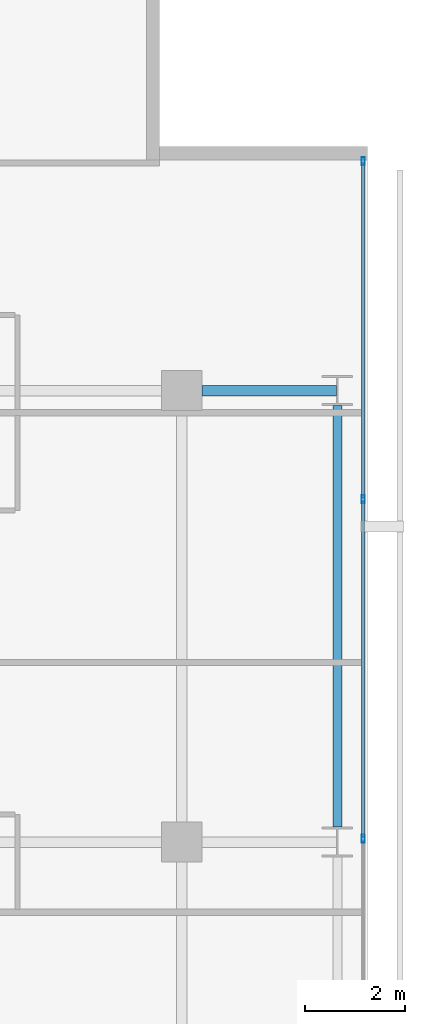
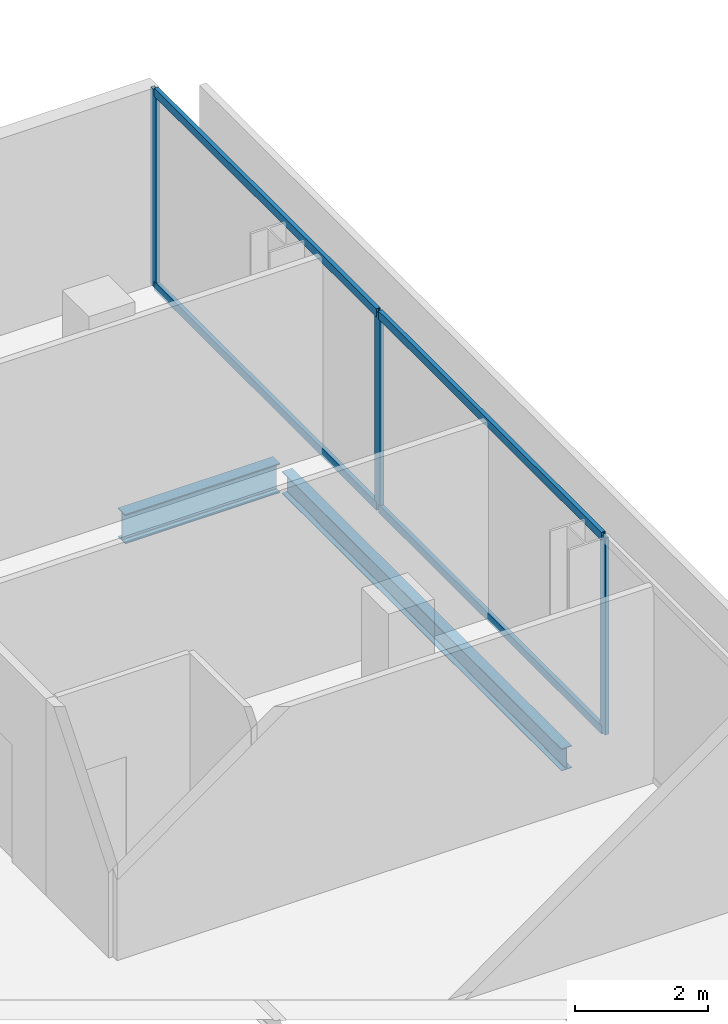
# One storey, part 24 of 34: 7 members, 2 beams, 1 element without a shape of its own.
"""IFC4 building model written with IfcOpenShell, lengths in metres."""

from ifc_helpers import new_model, si_unit, direction, frame, origin, origin_2d, place, context, subcontext, project, spatial, hollow_rectangle, i_section, extrude, material, layer, layer_set, material_profile, profile_set, type_object, element, aggregate, save


model = new_model("IFC4")

# Units and contexts
model_context = context("Model", 3, precision=1e-05, world=origin(), true_north=direction((0.0, 1.0)))
body_context = subcontext(model_context, "Body", "Model", "MODEL_VIEW")
ifc_project = project(units=[si_unit("LENGTHUNIT", "METRE"), si_unit("AREAUNIT", "SQUARE_METRE"), si_unit("VOLUMEUNIT", "CUBIC_METRE"), si_unit("PLANEANGLEUNIT", "RADIAN"), si_unit("MASSUNIT", "GRAM", prefix="KILO")], contexts=[model_context])

# Site, building, storey
site_placement = place(None, origin())
site = spatial("IfcSite", under=ifc_project, at=site_placement, CompositionType="ELEMENT")
building_placement = place(site_placement, origin())
building = spatial("IfcBuilding", under=site, at=building_placement, Name="Maruvema Waterfront Hotel and Observation Tower", CompositionType="ELEMENT")
storey_placement = place(building_placement, frame((0.0, 0.0, 208.25)))
storey = spatial("IfcBuildingStorey", under=building, at=storey_placement, Name="L51", CompositionType="ELEMENT", Elevation=208.25)

# Curtain wall, members
ifc_material_1 = material(Name="Anodised bronze aluminium and solar-control low-E IGU", Category="aluminium")
ifc_layer = layer(ifc_material_1, 0.159912109375, Name="Zone 2 Amber Inner Thermal Curtain Wall System CW-03")
ifc_layer_set = layer_set([ifc_layer], Name="Anodised bronze aluminium and solar-control low-E IGU")
curtain_wall_type = type_object("IfcCurtainWallType", Name="Zone 2 Amber Inner Thermal Curtain Wall System CW-03", PredefinedType="USERDEFINED", material=ifc_layer_set)
curtain_wall_placement = place(storey_placement, origin())
curtain_wall = element("IfcCurtainWall", 1, at=curtain_wall_placement, inside=storey, type_object=curtain_wall_type, Name="L51 Curtain Wall CW-L51-E", ObjectType="UNITISED CURTAIN WALL", PredefinedType="USERDEFINED")
ifc_material_2 = material(Name="Anodised architectural bronze aluminium", Category="aluminium")
ifc_material_profile_1 = material_profile(ifc_material_2, hollow_rectangle(XDim=0.070068359375, YDim=0.14990234375, WallThickness=0.00390625, at=origin_2d()), Name="ALU-T70x150")
ifc_profile_set_1 = profile_set([ifc_material_profile_1], Name="Anodised architectural bronze aluminium")
member_type_1 = type_object("IfcMemberType", Name="Curtain Wall Horizontal Transom ALU-T70x150", PredefinedType="USERDEFINED", material=ifc_profile_set_1)
member_1_placement = place(storey_placement, frame((62.419921875, 36.0966796875, 0.030029296875), z_axis=(0.0, 1.0, 0.0), x_axis=(-1.0, 0.0, 0.0)))
member_1 = element("IfcMember", 2, at=member_1_placement, type_object=member_type_1, Name="CW-03 transom 5.1", ObjectType="TRANSOM", PredefinedType="USERDEFINED", context=body_context, shape_type="SweptSolid", body=[
    extrude(hollow_rectangle(XDim=0.070068359375, YDim=0.14990234375, WallThickness=0.00390625, at=origin_2d()), origin(), (0.0, 0.0, 1.0), 6.70654296875),
])
member_2_placement = place(storey_placement, frame((62.419921875, 36.0966796875, 3.580078125), z_axis=(0.0, 1.0, 0.0), x_axis=(-1.0, 0.0, 0.0)))
member_2 = element("IfcMember", 3, at=member_2_placement, type_object=member_type_1, Name="CW-03 transom 5.2", ObjectType="TRANSOM", PredefinedType="USERDEFINED", context=body_context, shape_type="SweptSolid", body=[
    extrude(hollow_rectangle(XDim=0.070068359375, YDim=0.14990234375, WallThickness=0.00390625, at=origin_2d()), origin(), (0.0, 0.0, 1.0), 6.70654296875),
])
member_3_placement = place(storey_placement, frame((62.419921875, 42.86328125, 0.030029296875), z_axis=(0.0, 1.0, 0.0), x_axis=(-1.0, 0.0, 0.0)))
member_3 = element("IfcMember", 4, at=member_3_placement, type_object=member_type_1, Name="CW-03 transom 6.1", ObjectType="TRANSOM", PredefinedType="USERDEFINED", context=body_context, shape_type="SweptSolid", body=[
    extrude(hollow_rectangle(XDim=0.070068359375, YDim=0.14990234375, WallThickness=0.00390625, at=origin_2d()), origin(), (0.0, 0.0, 1.0), 6.6767578125),
])
member_4_placement = place(storey_placement, frame((62.419921875, 42.86328125, 3.580078125), z_axis=(0.0, 1.0, 0.0), x_axis=(-1.0, 0.0, 0.0)))
member_4 = element("IfcMember", 5, at=member_4_placement, type_object=member_type_1, Name="CW-03 transom 6.2", ObjectType="TRANSOM", PredefinedType="USERDEFINED", context=body_context, shape_type="SweptSolid", body=[
    extrude(hollow_rectangle(XDim=0.070068359375, YDim=0.14990234375, WallThickness=0.00390625, at=origin_2d()), origin(), (0.0, 0.0, 1.0), 6.6767578125),
])
ifc_material_3 = material(Name="Anodised architectural bronze aluminium", Category="aluminium")
ifc_material_profile_2 = material_profile(ifc_material_3, hollow_rectangle(XDim=0.06494140625, YDim=0.1650390625, WallThickness=0.00390625, at=origin_2d()), Name="ALU-M65x165")
ifc_profile_set_2 = profile_set([ifc_material_profile_2], Name="Anodised architectural bronze aluminium")
member_type_2 = type_object("IfcMemberType", Name="Curtain Wall Primary Mullion ALU-M65x165", PredefinedType="MULLION", material=ifc_profile_set_2)
member_5_placement = place(storey_placement, frame((62.419921875, 36.066650390625, 0.0), z_axis=(0.0, 0.0, 1.0), x_axis=(-1.0, 0.0, 0.0)))
member_5 = element("IfcMember", 6, at=member_5_placement, type_object=member_type_2, Name="CW-03 mullion 5", PredefinedType="MULLION", context=body_context, shape_type="SweptSolid", body=[
    extrude(hollow_rectangle(XDim=0.06494140625, YDim=0.1650390625, WallThickness=0.00390625, at=origin_2d()), origin(), (0.0, 0.0, 1.0), 3.610107421875),
])
member_6_placement = place(storey_placement, frame((62.419921875, 42.833251953125, 0.0), z_axis=(0.0, 0.0, 1.0), x_axis=(-1.0, 0.0, 0.0)))
member_6 = element("IfcMember", 7, at=member_6_placement, type_object=member_type_2, Name="CW-03 mullion 6", PredefinedType="MULLION", context=body_context, shape_type="SweptSolid", body=[
    extrude(hollow_rectangle(XDim=0.06494140625, YDim=0.1650390625, WallThickness=0.00390625, at=origin_2d()), origin(), (0.0, 0.0, 1.0), 3.610107421875),
])
member_7_placement = place(storey_placement, frame((62.419921875, 49.570068359375, 0.0), z_axis=(0.0, 0.0, 1.0), x_axis=(-1.0, 0.0, 0.0)))
member_7 = element("IfcMember", 8, at=member_7_placement, type_object=member_type_2, Name="CW-03 mullion 7", PredefinedType="MULLION", context=body_context, shape_type="SweptSolid", body=[
    extrude(hollow_rectangle(XDim=0.06494140625, YDim=0.1650390625, WallThickness=0.00390625, at=origin_2d()), origin(), (0.0, 0.0, 1.0), 3.610107421875),
])
aggregate(curtain_wall, [member_5, member_6, member_7, member_1, member_2, member_3, member_4])

# Beams
ifc_material_4 = material(Name="Steel ASTM A572 Grade 50", Category="steel")
ifc_material_profile_3 = material_profile(ifc_material_4, i_section(OverallWidth=0.178955078125, OverallDepth=0.409912109375, WebThickness=0.0087890625, FlangeThickness=0.014404296875, FilletRadius=0.014892578125, at=origin_2d()), Name="W410x67.0")
ifc_profile_set_3 = profile_set([ifc_material_profile_3], Name="Steel ASTM A572 Grade 50")
beam_type_1 = type_object("IfcBeamType", Name="Perimeter Spandrel Beam W410x67.0", PredefinedType="SPANDREL", material=ifc_profile_set_3)
beam_1_placement = place(storey_placement, frame((61.89990234375, 36.300048828125, -0.445068359375), z_axis=(0.0, 1.0, 0.0), x_axis=(-1.0, 0.0, 0.0)))
element("IfcBeam", 9, at=beam_1_placement, inside=storey, type_object=beam_type_1, Name="L51 Floor Girder NS-32", PredefinedType="SPANDREL", context=body_context, shape_type="SweptSolid", body=[
    extrude(i_section(OverallWidth=0.178955078125, OverallDepth=0.409912109375, WebThickness=0.0087890625, FlangeThickness=0.014404296875, FilletRadius=0.014892578125, at=origin_2d()), origin(), (0.0, 0.0, 1.0), 8.39990234375),
])
ifc_material_5 = material(Name="Steel ASTM A572 Grade 50", Category="steel")
ifc_material_profile_4 = material_profile(ifc_material_5, i_section(OverallWidth=0.2109375, OverallDepth=0.5390625, WebThickness=0.01171875, FlangeThickness=0.018798828125, FilletRadius=0.014892578125, at=origin_2d()), Name="W530x109.0")
ifc_profile_set_4 = profile_set([ifc_material_profile_4], Name="Steel ASTM A572 Grade 50")
beam_type_2 = type_object("IfcBeamType", Name="Primary Floor Girder W530x109.0", PredefinedType="BEAM", material=ifc_profile_set_4)
beam_2_placement = place(storey_placement, frame((59.199951171875, 45.0, -0.509521484375), z_axis=(1.0, 0.0, 0.0), x_axis=(0.0, 1.0, 0.0)))
element("IfcBeam", 10, at=beam_2_placement, inside=storey, type_object=beam_type_2, Name="L51 Floor Girder EW-33", PredefinedType="BEAM", context=body_context, shape_type="SweptSolid", body=[
    extrude(i_section(OverallWidth=0.2109375, OverallDepth=0.5390625, WebThickness=0.01171875, FlangeThickness=0.018798828125, FilletRadius=0.014892578125, at=origin_2d()), origin(), (0.0, 0.0, 1.0), 2.6875),
])

save(model, "model.ifc")
